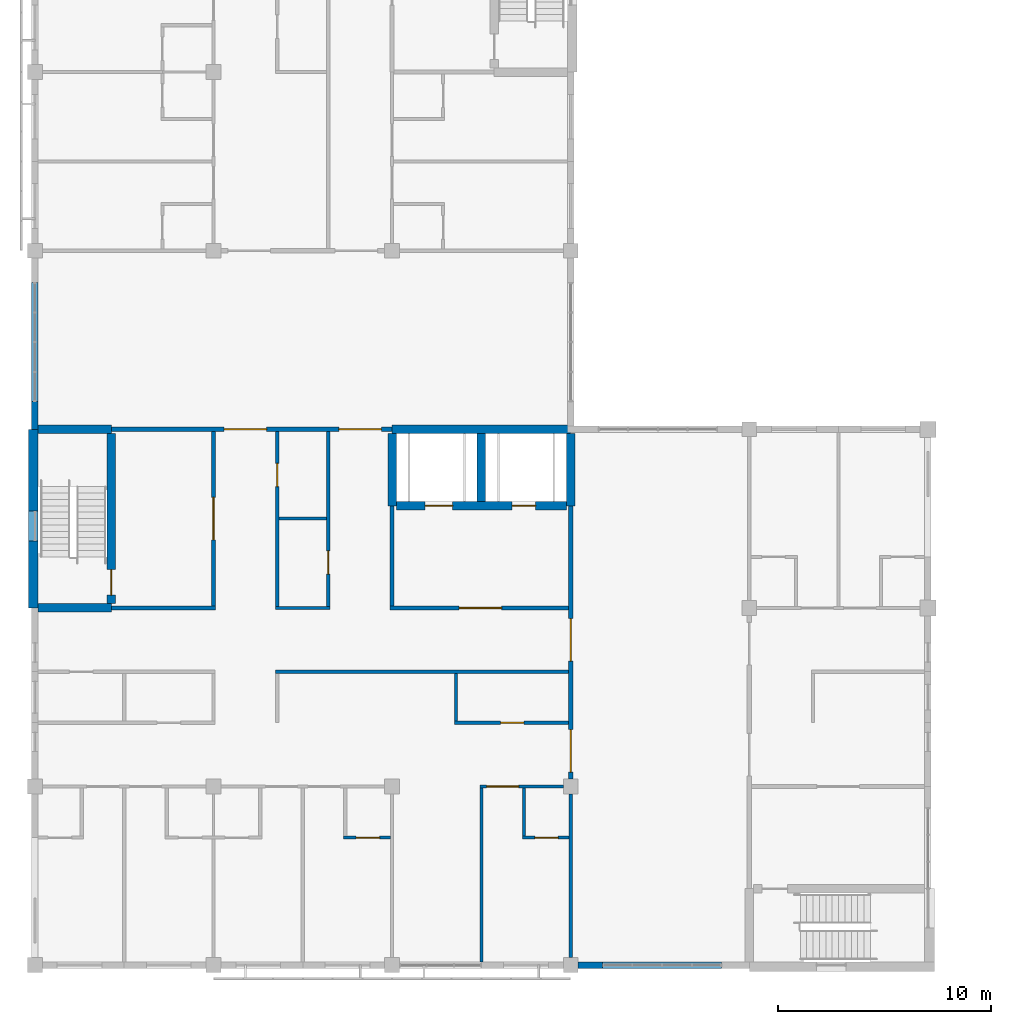
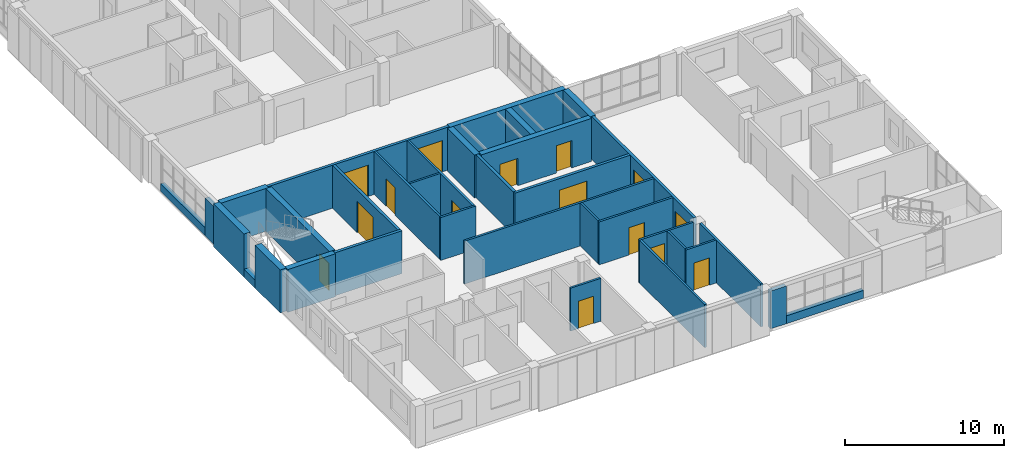
# One storey, part 27 of 48: 34 walls, 15 doors, 15 openings.
"""IFC4 building model written with IfcOpenShell, lengths in metres."""

from ifc_helpers import new_model, si_unit, direction, frame, frame_2d, origin, place, context, subcontext, project, spatial, rectangle, extrude, material, layer, layer_set, type_object, element, fill, save


model = new_model("IFC4")

# Units and contexts
model_context = context("Model", 3, precision=1e-05, world=origin(), true_north=direction((0.0, 1.0)))
body_context = subcontext(model_context, "Body", "Model", "MODEL_VIEW")
ifc_project = project(units=[si_unit("LENGTHUNIT", "METRE"), si_unit("AREAUNIT", "SQUARE_METRE"), si_unit("VOLUMEUNIT", "CUBIC_METRE"), si_unit("PLANEANGLEUNIT", "RADIAN"), si_unit("MASSUNIT", "GRAM", prefix="KILO")], contexts=[model_context])

# Site, building, storey
site_placement = place(None, origin())
site = spatial("IfcSite", under=ifc_project, at=site_placement, CompositionType="ELEMENT")
building_placement = place(site_placement, origin())
building = spatial("IfcBuilding", under=site, at=building_placement, Name="Yavir Park General Hospital", CompositionType="ELEMENT")
storey_placement = place(building_placement, frame((0.0, 0.0, 26.10009765625)))
storey = spatial("IfcBuildingStorey", under=building, at=storey_placement, Name="L06", CompositionType="ELEMENT", Elevation=26.10009765625)

# Wall
ifc_material_1 = material(Name="Double gypsum board fire partition on steel studs", Category="steel")
ifc_layer_1 = layer(ifc_material_1, 0.199951171875)
ifc_layer_set_1 = layer_set([ifc_layer_1], Name="Double gypsum board fire partition on steel studs")
wall_type_1 = type_object("IfcWallType", Name="Fire-rated partition 200, EI 60", PredefinedType="PARTITIONING", material=ifc_layer_set_1)
wall_1_placement = place(storey_placement, frame((3.60009765625, 16.800048828125, 0.0), z_axis=(0.0, 0.0, 1.0), x_axis=(1.0, 0.0, 0.0)))
element("IfcWall", 1, at=wall_1_placement, inside=storey, type_object=wall_type_1, Name="FP20 L06-038", PredefinedType="PARTITIONING", context=body_context, shape_type="SweptSolid", body=[
    extrude(rectangle(XDim=4.89990234375, YDim=0.199951171875, at=frame_2d((2.449951171875, 0.0))), origin(), (0.0, 0.0, 1.0), 3.2998046875),
])

# Wall, opening, door
wall_2_placement = place(storey_placement, frame((16.699951171875, 16.800048828125, 0.0), z_axis=(0.0, 0.0, 1.0), x_axis=(1.0, 0.0, 0.0)))
wall_2 = element("IfcWall", 2, at=wall_2_placement, inside=storey, type_object=wall_type_1, Name="FP20 L06-040", PredefinedType="PARTITIONING", context=body_context, shape_type="SweptSolid", body=[
    extrude(rectangle(XDim=8.400146484375, YDim=0.199951171875, at=frame_2d((4.2001953125, 0.0))), origin(), (0.0, 0.0, 1.0), 3.2998046875),
])
opening_1_placement = place(wall_2_placement, frame((3.25, 0.0, 0.0)))
opening_1 = element("IfcOpeningElement", 3, at=opening_1_placement, cuts=wall_2, Name="Opening L06.D042", PredefinedType="OPENING", context=body_context, shape_type="SweptSolid", body=[
    extrude(rectangle(XDim=2.0, YDim=2.39990234375, at=frame_2d((1.0, 1.199951171875))), frame((0.0, 0.10986328125, 0.0), z_axis=(0.0, -1.0, 0.0), x_axis=(1.0, 0.0, 0.0)), (0.0, 0.0, 1.0), 0.219970703125),
])
ifc_material_2 = material(Name="Steel frame, fire-resisting leaves with vision panels", Category="steel")
door_type_1 = type_object("IfcDoorType", Name="Double fire door with vision panels 2000 x 2400, EI 60", OperationType="DOUBLE_DOOR_SINGLE_SWING", PredefinedType="DOOR", material=ifc_material_2)
door_1_placement = place(opening_1_placement, origin())
door_1 = element("IfcDoor", 4, at=door_1_placement, inside=storey, type_object=door_type_1, Name="L06.D042", OperationType="SINGLE_SWING_RIGHT", OverallHeight=2.39990234375, OverallWidth=2.0, PredefinedType="DOOR", context=body_context, shape_type="SweptSolid", body=[
    extrude(rectangle(XDim=2.0, YDim=2.39990234375, at=frame_2d((1.0, 1.199951171875))), frame((0.0, 0.030029296875, 0.0), z_axis=(0.0, -1.0, 0.0), x_axis=(1.0, 0.0, 0.0)), (0.0, 0.0, 1.0), 0.06005859375),
])
fill(opening_1, door_1)

# Wall, openings, doors
wall_3_placement = place(storey_placement, frame((3.60009765625, 25.199951171875, 0.0), z_axis=(0.0, 0.0, 1.0), x_axis=(1.0, 0.0, 0.0)))
wall_3 = element("IfcWall", 5, at=wall_3_placement, inside=storey, type_object=wall_type_1, Name="FP20 L06-057", PredefinedType="PARTITIONING", context=body_context, shape_type="SweptSolid", body=[
    extrude(rectangle(XDim=13.199951171875, YDim=0.199951171875, at=frame_2d((6.60009765625, 0.0))), origin(), (0.0, 0.0, 1.0), 3.2998046875),
])
opening_2_placement = place(wall_3_placement, frame((5.300048828125, 0.0, 0.0)))
opening_2 = element("IfcOpeningElement", 6, at=opening_2_placement, cuts=wall_3, Name="Opening L06.D065", PredefinedType="OPENING", context=body_context, shape_type="SweptSolid", body=[
    extrude(rectangle(XDim=2.0, YDim=2.39990234375, at=frame_2d((1.0, 1.199951171875))), frame((0.0, 0.10986328125, 0.0), z_axis=(0.0, -1.0, 0.0), x_axis=(1.0, 0.0, 0.0)), (0.0, 0.0, 1.0), 0.219970703125),
])
opening_3_placement = place(wall_3_placement, frame((10.699951171875, 0.0, 0.0)))
opening_3 = element("IfcOpeningElement", 7, at=opening_3_placement, cuts=wall_3, Name="Opening L06.D066", PredefinedType="OPENING", context=body_context, shape_type="SweptSolid", body=[
    extrude(rectangle(XDim=2.0, YDim=2.39990234375, at=frame_2d((1.0, 1.199951171875))), frame((0.0, 0.10986328125, 0.0), z_axis=(0.0, -1.0, 0.0), x_axis=(1.0, 0.0, 0.0)), (0.0, 0.0, 1.0), 0.219970703125),
])
door_2_placement = place(opening_2_placement, origin())
door_2 = element("IfcDoor", 8, at=door_2_placement, inside=storey, type_object=door_type_1, Name="L06.D065", OperationType="SINGLE_SWING_LEFT", OverallHeight=2.39990234375, OverallWidth=2.0, PredefinedType="DOOR", context=body_context, shape_type="SweptSolid", body=[
    extrude(rectangle(XDim=2.0, YDim=2.39990234375, at=frame_2d((1.0, 1.199951171875))), frame((0.0, 0.030029296875, 0.0), z_axis=(0.0, -1.0, 0.0), x_axis=(1.0, 0.0, 0.0)), (0.0, 0.0, 1.0), 0.06005859375),
])
fill(opening_2, door_2)
door_3_placement = place(opening_3_placement, origin())
door_3 = element("IfcDoor", 9, at=door_3_placement, inside=storey, type_object=door_type_1, Name="L06.D066", OperationType="SINGLE_SWING_LEFT", OverallHeight=2.39990234375, OverallWidth=2.0, PredefinedType="DOOR", context=body_context, shape_type="SweptSolid", body=[
    extrude(rectangle(XDim=2.0, YDim=2.39990234375, at=frame_2d((1.0, 1.199951171875))), frame((0.0, 0.030029296875, 0.0), z_axis=(0.0, -1.0, 0.0), x_axis=(1.0, 0.0, 0.0)), (0.0, 0.0, 1.0), 0.06005859375),
])
fill(opening_3, door_3)

# Wall, opening, door
wall_4_placement = place(storey_placement, frame((8.39990234375, 16.89990234375, 0.0), z_axis=(0.0, 0.0, 1.0), x_axis=(0.0, 1.0, 0.0)))
wall_4 = element("IfcWall", 10, at=wall_4_placement, inside=storey, type_object=wall_type_1, Name="FP20 L06-150", PredefinedType="PARTITIONING", context=body_context, shape_type="SweptSolid", body=[
    extrude(rectangle(XDim=8.2001953125, YDim=0.199951171875, at=frame_2d((4.10009765625, 0.0))), origin(), (0.0, 0.0, 1.0), 3.2998046875),
])
opening_4_placement = place(wall_4_placement, frame((3.10009765625, 0.0, 0.0)))
opening_4 = element("IfcOpeningElement", 11, at=opening_4_placement, cuts=wall_4, Name="Opening L06.D085", PredefinedType="OPENING", context=body_context, shape_type="SweptSolid", body=[
    extrude(rectangle(XDim=2.0, YDim=2.39990234375, at=frame_2d((1.0, 1.199951171875))), frame((0.0, 0.10986328125, 0.0), z_axis=(0.0, -1.0, 0.0), x_axis=(1.0, 0.0, 0.0)), (0.0, 0.0, 1.0), 0.219970703125),
])
door_4_placement = place(opening_4_placement, origin())
door_4 = element("IfcDoor", 12, at=door_4_placement, inside=storey, type_object=door_type_1, Name="L06.D085", OperationType="SINGLE_SWING_RIGHT", OverallHeight=2.39990234375, OverallWidth=2.0, PredefinedType="DOOR", context=body_context, shape_type="SweptSolid", body=[
    extrude(rectangle(XDim=2.0, YDim=2.39990234375, at=frame_2d((1.0, 1.199951171875))), frame((0.0, 0.030029296875, 0.0), z_axis=(0.0, -1.0, 0.0), x_axis=(1.0, 0.0, 0.0)), (0.0, 0.0, 1.0), 0.06005859375),
])
fill(opening_4, door_4)

# Wall
wall_5_placement = place(storey_placement, frame((16.800048828125, 16.89990234375, 0.0), z_axis=(0.0, 0.0, 1.0), x_axis=(0.0, 1.0, 0.0)))
element("IfcWall", 13, at=wall_5_placement, inside=storey, type_object=wall_type_1, Name="FP20 L06-175", PredefinedType="PARTITIONING", context=body_context, shape_type="SweptSolid", body=[
    extrude(rectangle(XDim=4.7001953125, YDim=0.199951171875, at=frame_2d((2.35009765625, 0.0))), origin(), (0.0, 0.0, 1.0), 3.2998046875),
])

# Wall, openings, doors
wall_6_placement = place(storey_placement, frame((25.199951171875, 8.75, 0.0), z_axis=(0.0, 0.0, 1.0), x_axis=(0.0, 1.0, 0.0)))
wall_6 = element("IfcWall", 14, at=wall_6_placement, inside=storey, type_object=wall_type_1, Name="FP20 L06-200", PredefinedType="PARTITIONING", context=body_context, shape_type="SweptSolid", body=[
    extrude(rectangle(XDim=12.85009765625, YDim=0.199951171875, at=frame_2d((6.425048828125, 0.0))), origin(), (0.0, 0.0, 1.0), 3.2998046875),
])
opening_5_placement = place(wall_6_placement, frame((0.324951171875, 0.0, 0.0)))
opening_5 = element("IfcOpeningElement", 15, at=opening_5_placement, cuts=wall_6, Name="Opening L06.D136", PredefinedType="OPENING", context=body_context, shape_type="SweptSolid", body=[
    extrude(rectangle(XDim=2.0, YDim=2.39990234375, at=frame_2d((1.0, 1.199951171875))), frame((0.0, 0.10986328125, 0.0), z_axis=(0.0, -1.0, 0.0), x_axis=(1.0, 0.0, 0.0)), (0.0, 0.0, 1.0), 0.219970703125),
])
opening_6_placement = place(wall_6_placement, frame((5.550048828125, 0.0, 0.0)))
opening_6 = element("IfcOpeningElement", 16, at=opening_6_placement, cuts=wall_6, Name="Opening L06.D137", PredefinedType="OPENING", context=body_context, shape_type="SweptSolid", body=[
    extrude(rectangle(XDim=2.0, YDim=2.39990234375, at=frame_2d((1.0, 1.199951171875))), frame((0.0, 0.10986328125, 0.0), z_axis=(0.0, -1.0, 0.0), x_axis=(1.0, 0.0, 0.0)), (0.0, 0.0, 1.0), 0.219970703125),
])
door_5_placement = place(opening_5_placement, origin())
door_5 = element("IfcDoor", 17, at=door_5_placement, inside=storey, type_object=door_type_1, Name="L06.D136", OperationType="SINGLE_SWING_LEFT", OverallHeight=2.39990234375, OverallWidth=2.0, PredefinedType="DOOR", context=body_context, shape_type="SweptSolid", body=[
    extrude(rectangle(XDim=2.0, YDim=2.39990234375, at=frame_2d((1.0, 1.199951171875))), frame((0.0, 0.030029296875, 0.0), z_axis=(0.0, -1.0, 0.0), x_axis=(1.0, 0.0, 0.0)), (0.0, 0.0, 1.0), 0.06005859375),
])
fill(opening_5, door_5)
door_6_placement = place(opening_6_placement, origin())
door_6 = element("IfcDoor", 18, at=door_6_placement, inside=storey, type_object=door_type_1, Name="L06.D137", OperationType="SINGLE_SWING_RIGHT", OverallHeight=2.39990234375, OverallWidth=2.0, PredefinedType="DOOR", context=body_context, shape_type="SweptSolid", body=[
    extrude(rectangle(XDim=2.0, YDim=2.39990234375, at=frame_2d((1.0, 1.199951171875))), frame((0.0, 0.030029296875, 0.0), z_axis=(0.0, -1.0, 0.0), x_axis=(1.0, 0.0, 0.0)), (0.0, 0.0, 1.0), 0.06005859375),
])
fill(opening_6, door_6)

# Wall, opening, door
ifc_material_3 = material(Name="Gypsum board partition on steel studs", Category="steel")
ifc_layer_2 = layer(ifc_material_3, 0.14990234375)
ifc_layer_set_2 = layer_set([ifc_layer_2], Name="Gypsum board partition on steel studs")
wall_type_2 = type_object("IfcWallType", Name="Gypsum board partition 150", PredefinedType="PARTITIONING", material=ifc_layer_set_2)
wall_7_placement = place(storey_placement, frame((14.52490234375, 6.0, 0.0), z_axis=(0.0, 0.0, 1.0), x_axis=(1.0, 0.0, 0.0)))
wall_7 = element("IfcWall", 19, at=wall_7_placement, inside=storey, type_object=wall_type_2, Name="P15 L06-006", PredefinedType="PARTITIONING", context=body_context, shape_type="SweptSolid", body=[
    extrude(rectangle(XDim=2.2001953125, YDim=0.14990234375, at=frame_2d((1.10009765625, 0.0))), origin(), (0.0, 0.0, 1.0), 3.2998046875),
])
opening_7_placement = place(wall_7_placement, frame((0.58740234375, 0.0, 0.0)))
opening_7 = element("IfcOpeningElement", 20, at=opening_7_placement, cuts=wall_7, Name="Opening L06.D007", PredefinedType="OPENING", context=body_context, shape_type="SweptSolid", body=[
    extrude(rectangle(XDim=1.10009765625, YDim=2.10009765625, at=frame_2d((0.550048828125, 1.050048828125))), frame((0.0, 0.0849609375, 0.0), z_axis=(0.0, -1.0, 0.0), x_axis=(1.0, 0.0, 0.0)), (0.0, 0.0, 1.0), 0.169921875),
])
ifc_material_4 = material(Name="Hollow metal frame, solid-core timber leaf", Category="wood")
door_type_2 = type_object("IfcDoorType", Name="Single swing door 1100 x 2100", OperationType="SINGLE_SWING_LEFT", PredefinedType="DOOR", material=ifc_material_4)
door_7_placement = place(opening_7_placement, origin())
door_7 = element("IfcDoor", 21, at=door_7_placement, inside=storey, type_object=door_type_2, Name="L06.D007", OperationType="SINGLE_SWING_RIGHT", OverallHeight=2.10009765625, OverallWidth=1.10009765625, PredefinedType="DOOR", context=body_context, shape_type="SweptSolid", body=[
    extrude(rectangle(XDim=1.10009765625, YDim=2.10009765625, at=frame_2d((0.550048828125, 1.050048828125))), frame((0.0, 0.02490234375, 0.0), z_axis=(0.0, -1.0, 0.0), x_axis=(1.0, 0.0, 0.0)), (0.0, 0.0, 1.0), 0.050048828125),
])
fill(opening_7, door_7)

wall_8_placement = place(storey_placement, frame((22.925048828125, 6.0, 0.0), z_axis=(0.0, 0.0, 1.0), x_axis=(1.0, 0.0, 0.0)))
wall_8 = element("IfcWall", 22, at=wall_8_placement, inside=storey, type_object=wall_type_2, Name="P15 L06-007", PredefinedType="PARTITIONING", context=body_context, shape_type="SweptSolid", body=[
    extrude(rectangle(XDim=2.199951171875, YDim=0.14990234375, at=frame_2d((1.10009765625, 0.0))), origin(), (0.0, 0.0, 1.0), 3.2998046875),
])
opening_8_placement = place(wall_8_placement, frame((0.58740234375, 0.0, 0.0)))
opening_8 = element("IfcOpeningElement", 23, at=opening_8_placement, cuts=wall_8, Name="Opening L06.D008", PredefinedType="OPENING", context=body_context, shape_type="SweptSolid", body=[
    extrude(rectangle(XDim=1.10009765625, YDim=2.10009765625, at=frame_2d((0.550048828125, 1.050048828125))), frame((0.0, 0.0849609375, 0.0), z_axis=(0.0, -1.0, 0.0), x_axis=(1.0, 0.0, 0.0)), (0.0, 0.0, 1.0), 0.169921875),
])
door_8_placement = place(opening_8_placement, origin())
door_8 = element("IfcDoor", 24, at=door_8_placement, inside=storey, type_object=door_type_2, Name="L06.D008", OperationType="SINGLE_SWING_RIGHT", OverallHeight=2.10009765625, OverallWidth=1.10009765625, PredefinedType="DOOR", context=body_context, shape_type="SweptSolid", body=[
    extrude(rectangle(XDim=1.10009765625, YDim=2.10009765625, at=frame_2d((0.550048828125, 1.050048828125))), frame((0.0, 0.02490234375, 0.0), z_axis=(0.0, -1.0, 0.0), x_axis=(1.0, 0.0, 0.0)), (0.0, 0.0, 1.0), 0.050048828125),
])
fill(opening_8, door_8)

wall_9_placement = place(storey_placement, frame((20.925048828125, 8.39990234375, 0.0), z_axis=(0.0, 0.0, 1.0), x_axis=(1.0, 0.0, 0.0)))
wall_9 = element("IfcWall", 25, at=wall_9_placement, inside=storey, type_object=wall_type_2, Name="P15 L06-016", PredefinedType="PARTITIONING", context=body_context, shape_type="SweptSolid", body=[
    extrude(rectangle(XDim=3.925048828125, YDim=0.14990234375, at=frame_2d((1.96240234375, 0.0))), origin(), (0.0, 0.0, 1.0), 3.2998046875),
])
opening_9_placement = place(wall_9_placement, frame((0.324951171875, 0.0, 0.0)))
opening_9 = element("IfcOpeningElement", 26, at=opening_9_placement, cuts=wall_9, Name="Opening L06.D023", PredefinedType="OPENING", context=body_context, shape_type="SweptSolid", body=[
    extrude(rectangle(XDim=1.5, YDim=2.39990234375, at=frame_2d((0.75, 1.199951171875))), frame((0.0, 0.0849609375, 0.0), z_axis=(0.0, -1.0, 0.0), x_axis=(1.0, 0.0, 0.0)), (0.0, 0.0, 1.0), 0.169921875),
])
ifc_material_5 = material(Name="Solid-core timber leaves, push plates, kick plates", Category="wood")
door_type_3 = type_object("IfcDoorType", Name="Bed door, unequal leaves 1500 x 2400", OperationType="DOUBLE_DOOR_SINGLE_SWING", PredefinedType="DOOR", material=ifc_material_5)
door_9_placement = place(opening_9_placement, origin())
door_9 = element("IfcDoor", 27, at=door_9_placement, inside=storey, type_object=door_type_3, Name="L06.D023", OperationType="SINGLE_SWING_LEFT", OverallHeight=2.39990234375, OverallWidth=1.5, PredefinedType="DOOR", context=body_context, shape_type="SweptSolid", body=[
    extrude(rectangle(XDim=1.5, YDim=2.39990234375, at=frame_2d((0.75, 1.199951171875))), frame((0.0, 0.030029296875, 0.0), z_axis=(0.0, -1.0, 0.0), x_axis=(1.0, 0.0, 0.0)), (0.0, 0.0, 1.0), 0.06005859375),
])
fill(opening_9, door_9)

wall_10_placement = place(storey_placement, frame((19.72509765625, 11.39990234375, 0.0), z_axis=(0.0, 0.0, 1.0), x_axis=(1.0, 0.0, 0.0)))
wall_10 = element("IfcWall", 28, at=wall_10_placement, inside=storey, type_object=wall_type_2, Name="P15 L06-025", PredefinedType="PARTITIONING", context=body_context, shape_type="SweptSolid", body=[
    extrude(rectangle(XDim=5.375, YDim=0.14990234375, at=frame_2d((2.6875, 0.0))), origin(), (0.0, 0.0, 1.0), 3.2998046875),
])
opening_10_placement = place(wall_10_placement, frame((2.175048828125, 0.0, 0.0)))
opening_10 = element("IfcOpeningElement", 29, at=opening_10_placement, cuts=wall_10, Name="Opening L06.D034", PredefinedType="OPENING", context=body_context, shape_type="SweptSolid", body=[
    extrude(rectangle(XDim=1.10009765625, YDim=2.10009765625, at=frame_2d((0.550048828125, 1.050048828125))), frame((0.0, 0.0849609375, 0.0), z_axis=(0.0, -1.0, 0.0), x_axis=(1.0, 0.0, 0.0)), (0.0, 0.0, 1.0), 0.169921875),
])
door_10_placement = place(opening_10_placement, origin())
door_10 = element("IfcDoor", 30, at=door_10_placement, inside=storey, type_object=door_type_2, Name="L06.D034", OperationType="SINGLE_SWING_RIGHT", OverallHeight=2.10009765625, OverallWidth=1.10009765625, PredefinedType="DOOR", context=body_context, shape_type="SweptSolid", body=[
    extrude(rectangle(XDim=1.10009765625, YDim=2.10009765625, at=frame_2d((0.550048828125, 1.050048828125))), frame((0.0, 0.02490234375, 0.0), z_axis=(0.0, -1.0, 0.0), x_axis=(1.0, 0.0, 0.0)), (0.0, 0.0, 1.0), 0.050048828125),
])
fill(opening_10, door_10)

# Walls
wall_11_placement = place(storey_placement, frame((11.324951171875, 13.800048828125, 0.0), z_axis=(0.0, 0.0, 1.0), x_axis=(1.0, 0.0, 0.0)))
element("IfcWall", 31, at=wall_11_placement, inside=storey, type_object=wall_type_2, Name="P15 L06-031", PredefinedType="PARTITIONING", context=body_context, shape_type="SweptSolid", body=[
    extrude(rectangle(XDim=13.775146484375, YDim=0.14990234375, at=frame_2d((6.8876953125, 0.0))), origin(), (0.0, 0.0, 1.0), 3.2998046875),
])
wall_12_placement = place(storey_placement, frame((11.324951171875, 16.800048828125, 0.0), z_axis=(0.0, 0.0, 1.0), x_axis=(1.0, 0.0, 0.0)))
element("IfcWall", 32, at=wall_12_placement, inside=storey, type_object=wall_type_2, Name="P15 L06-039", PredefinedType="PARTITIONING", context=body_context, shape_type="SweptSolid", body=[
    extrude(rectangle(XDim=2.550048828125, YDim=0.14990234375, at=frame_2d((1.27490234375, 0.0))), origin(), (0.0, 0.0, 1.0), 3.2998046875),
])
wall_13_placement = place(storey_placement, frame((11.47509765625, 21.0, 0.0), z_axis=(0.0, 0.0, 1.0), x_axis=(1.0, 0.0, 0.0)))
element("IfcWall", 33, at=wall_13_placement, inside=storey, type_object=wall_type_2, Name="P15 L06-053", PredefinedType="PARTITIONING", context=body_context, shape_type="SweptSolid", body=[
    extrude(rectangle(XDim=2.25, YDim=0.14990234375, at=frame_2d((1.125, 0.0))), origin(), (0.0, 0.0, 1.0), 3.2998046875),
])

# Wall, opening, door
wall_14_placement = place(storey_placement, frame((11.39990234375, 16.875, 0.0), z_axis=(0.0, 0.0, 1.0), x_axis=(0.0, 1.0, 0.0)))
wall_14 = element("IfcWall", 34, at=wall_14_placement, inside=storey, type_object=wall_type_2, Name="P15 L06-164", PredefinedType="PARTITIONING", context=body_context, shape_type="SweptSolid", body=[
    extrude(rectangle(XDim=8.22509765625, YDim=0.14990234375, at=frame_2d((4.112548828125, 0.0))), origin(), (0.0, 0.0, 1.0), 3.2998046875),
])
opening_11_placement = place(wall_14_placement, frame((5.625, 0.0, 0.0)))
opening_11 = element("IfcOpeningElement", 35, at=opening_11_placement, cuts=wall_14, Name="Opening L06.D102", PredefinedType="OPENING", context=body_context, shape_type="SweptSolid", body=[
    extrude(rectangle(XDim=1.10009765625, YDim=2.10009765625, at=frame_2d((0.550048828125, 1.050048828125))), frame((0.0, 0.0849609375, 0.0), z_axis=(0.0, -1.0, 0.0), x_axis=(1.0, 0.0, 0.0)), (0.0, 0.0, 1.0), 0.169921875),
])
door_11_placement = place(opening_11_placement, origin())
door_11 = element("IfcDoor", 36, at=door_11_placement, inside=storey, type_object=door_type_2, Name="L06.D102", OperationType="SINGLE_SWING_LEFT", OverallHeight=2.10009765625, OverallWidth=1.10009765625, PredefinedType="DOOR", context=body_context, shape_type="SweptSolid", body=[
    extrude(rectangle(XDim=1.10009765625, YDim=2.10009765625, at=frame_2d((0.550048828125, 1.050048828125))), frame((0.0, 0.02490234375, 0.0), z_axis=(0.0, -1.0, 0.0), x_axis=(1.0, 0.0, 0.0)), (0.0, 0.0, 1.0), 0.050048828125),
])
fill(opening_11, door_11)

wall_15_placement = place(storey_placement, frame((13.800048828125, 16.875, 0.0), z_axis=(0.0, 0.0, 1.0), x_axis=(0.0, 1.0, 0.0)))
wall_15 = element("IfcWall", 37, at=wall_15_placement, inside=storey, type_object=wall_type_2, Name="P15 L06-169", PredefinedType="PARTITIONING", context=body_context, shape_type="SweptSolid", body=[
    extrude(rectangle(XDim=8.22509765625, YDim=0.14990234375, at=frame_2d((4.112548828125, 0.0))), origin(), (0.0, 0.0, 1.0), 3.2998046875),
])
opening_12_placement = place(wall_15_placement, frame((1.512451171875, 0.0, 0.0)))
opening_12 = element("IfcOpeningElement", 38, at=opening_12_placement, cuts=wall_15, Name="Opening L06.D108", PredefinedType="OPENING", context=body_context, shape_type="SweptSolid", body=[
    extrude(rectangle(XDim=1.10009765625, YDim=2.10009765625, at=frame_2d((0.550048828125, 1.050048828125))), frame((0.0, 0.0849609375, 0.0), z_axis=(0.0, -1.0, 0.0), x_axis=(1.0, 0.0, 0.0)), (0.0, 0.0, 1.0), 0.169921875),
])
door_12_placement = place(opening_12_placement, origin())
door_12 = element("IfcDoor", 39, at=door_12_placement, inside=storey, type_object=door_type_2, Name="L06.D108", OperationType="SINGLE_SWING_LEFT", OverallHeight=2.10009765625, OverallWidth=1.10009765625, PredefinedType="DOOR", context=body_context, shape_type="SweptSolid", body=[
    extrude(rectangle(XDim=1.10009765625, YDim=2.10009765625, at=frame_2d((0.550048828125, 1.050048828125))), frame((0.0, 0.02490234375, 0.0), z_axis=(0.0, -1.0, 0.0), x_axis=(1.0, 0.0, 0.0)), (0.0, 0.0, 1.0), 0.050048828125),
])
fill(opening_12, door_12)

# Walls
wall_16_placement = place(storey_placement, frame((19.800048828125, 11.47509765625, 0.0), z_axis=(0.0, 0.0, 1.0), x_axis=(0.0, 1.0, 0.0)))
element("IfcWall", 40, at=wall_16_placement, inside=storey, type_object=wall_type_2, Name="P15 L06-192", PredefinedType="PARTITIONING", context=body_context, shape_type="SweptSolid", body=[
    extrude(rectangle(XDim=2.25, YDim=0.14990234375, at=frame_2d((1.125, 0.0))), origin(), (0.0, 0.0, 1.0), 3.2998046875),
])
wall_17_placement = place(storey_placement, frame((21.0, 0.14990234375, 0.0), z_axis=(0.0, 0.0, 1.0), x_axis=(0.0, 1.0, 0.0)))
element("IfcWall", 41, at=wall_17_placement, inside=storey, type_object=wall_type_2, Name="P15 L06-193", PredefinedType="PARTITIONING", context=body_context, shape_type="SweptSolid", body=[
    extrude(rectangle(XDim=8.175048828125, YDim=0.14990234375, at=frame_2d((4.08740234375, 0.0))), origin(), (0.0, 0.0, 1.0), 3.2998046875),
])
wall_18_placement = place(storey_placement, frame((23.0, 6.074951171875, 0.0), z_axis=(0.0, 0.0, 1.0), x_axis=(0.0, 1.0, 0.0)))
element("IfcWall", 42, at=wall_18_placement, inside=storey, type_object=wall_type_2, Name="P15 L06-198", PredefinedType="PARTITIONING", context=body_context, shape_type="SweptSolid", body=[
    extrude(rectangle(XDim=2.25, YDim=0.14990234375, at=frame_2d((1.125, 0.0))), origin(), (0.0, 0.0, 1.0), 3.2998046875),
])
wall_19_placement = place(storey_placement, frame((25.199951171875, 0.35009765625, 0.0), z_axis=(0.0, 0.0, 1.0), x_axis=(0.0, 1.0, 0.0)))
element("IfcWall", 43, at=wall_19_placement, inside=storey, type_object=wall_type_2, Name="P15 L06-199", PredefinedType="PARTITIONING", context=body_context, shape_type="SweptSolid", body=[
    extrude(rectangle(XDim=7.699951171875, YDim=0.14990234375, at=frame_2d((3.85009765625, 0.0))), origin(), (0.0, 0.0, 1.0), 3.2998046875),
])
ifc_material_6 = material(Name="Autoclaved aerated block, mineral wool and ochre mineral render")
ifc_layer_3 = layer(ifc_material_6, 0.300048828125)
ifc_layer_set_3 = layer_set([ifc_layer_3], Name="Autoclaved aerated block, mineral wool and ochre mineral render")
wall_type_3 = type_object("IfcWallType", Name="Ochre render ward wall 300, E 30", PredefinedType="SOLIDWALL", material=ifc_layer_set_3)
wall_20_placement = place(storey_placement, frame((25.550048828125, 0.0, 0.0), z_axis=(0.0, 0.0, 1.0), x_axis=(1.0, 0.0, 0.0)))
element("IfcWall", 44, at=wall_20_placement, inside=storey, type_object=wall_type_3, Name="XW7 L06-007", PredefinedType="SOLIDWALL", context=body_context, shape_type="SweptSolid", body=[
    extrude(rectangle(XDim=1.14990234375, YDim=0.300048828125, at=frame_2d((0.574951171875, 0.0))), origin(), (0.0, 0.0, 1.0), 2.89990234375),
])
wall_21_placement = place(storey_placement, frame((26.699951171875, 0.0, 0.0), z_axis=(0.0, 0.0, 1.0), x_axis=(1.0, 0.0, 0.0)))
element("IfcWall", 45, at=wall_21_placement, inside=storey, type_object=wall_type_3, Name="XW7 L06-009", PredefinedType="SOLIDWALL", context=body_context, shape_type="SweptSolid", body=[
    extrude(rectangle(XDim=5.60009765625, YDim=0.300048828125, at=frame_2d((2.800048828125, 0.0))), origin(), (0.0, 0.0, 1.0), 0.599853515625),
])
wall_22_placement = place(storey_placement, frame((0.0, 25.199951171875, 0.0), z_axis=(0.0, 0.0, 1.0), x_axis=(0.0, 1.0, 0.0)))
element("IfcWall", 46, at=wall_22_placement, inside=storey, type_object=wall_type_3, Name="XW7 L06-077", PredefinedType="SOLIDWALL", context=body_context, shape_type="SweptSolid", body=[
    extrude(rectangle(XDim=1.300048828125, YDim=0.300048828125, at=frame_2d((0.64990234375, 0.0))), origin(), (0.0, 0.0, 1.0), 2.89990234375),
])
wall_23_placement = place(storey_placement, frame((0.0, 26.5, 0.0), z_axis=(0.0, 0.0, 1.0), x_axis=(0.0, 1.0, 0.0)))
element("IfcWall", 47, at=wall_23_placement, inside=storey, type_object=wall_type_3, Name="XW7 L06-079", PredefinedType="SOLIDWALL", context=body_context, shape_type="SweptSolid", body=[
    extrude(rectangle(XDim=5.60009765625, YDim=0.300048828125, at=frame_2d((2.800048828125, 0.0))), origin(), (0.0, 0.0, 1.0), 0.599853515625),
])
ifc_material_7 = material(Name="Concrete C35/45", Category="concrete")
ifc_layer_4 = layer(ifc_material_7, 0.39990234375)
ifc_layer_set_4 = layer_set([ifc_layer_4], Name="Concrete C35/45")
wall_type_4 = type_object("IfcWallType", Name="Reinforced concrete core wall 400, REI 150", PredefinedType="SHEAR", material=ifc_layer_set_4)
wall_24_placement = place(storey_placement, frame((0.14990234375, 16.800048828125, 0.0), z_axis=(0.0, 0.0, 1.0), x_axis=(1.0, 0.0, 0.0)))
element("IfcWall", 48, at=wall_24_placement, inside=storey, type_object=wall_type_4, Name="CW40 L06-037", PredefinedType="SHEAR", context=body_context, shape_type="SweptSolid", body=[
    extrude(rectangle(XDim=3.4501953125, YDim=0.39990234375, at=frame_2d((1.72509765625, 0.0))), origin(), (0.0, 0.0, 1.0), 3.2998046875),
])

# Wall, openings, doors
wall_25_placement = place(storey_placement, frame((17.0, 21.60009765625, 0.0), z_axis=(0.0, 0.0, 1.0), x_axis=(1.0, 0.0, 0.0)))
wall_25 = element("IfcWall", 49, at=wall_25_placement, inside=storey, type_object=wall_type_4, Name="CW40 L06-054", PredefinedType="SHEAR", context=body_context, shape_type="SweptSolid", body=[
    extrude(rectangle(XDim=8.0, YDim=0.39990234375, at=frame_2d((4.0, 0.0))), origin(), (0.0, 0.0, 1.0), 3.2998046875),
])
opening_13_placement = place(wall_25_placement, frame((1.35009765625, 0.0, 0.0)))
opening_13 = element("IfcOpeningElement", 50, at=opening_13_placement, cuts=wall_25, Name="Opening L06.D057", PredefinedType="OPENING", context=body_context, shape_type="SweptSolid", body=[
    extrude(rectangle(XDim=1.300048828125, YDim=2.10009765625, at=frame_2d((0.64990234375, 1.050048828125))), frame((0.0, 0.2099609375, 0.0), z_axis=(0.0, -1.0, 0.0), x_axis=(1.0, 0.0, 0.0)), (0.0, 0.0, 1.0), 0.419921875),
])
opening_14_placement = place(wall_25_placement, frame((5.449951171875, 0.0, 0.0)))
opening_14 = element("IfcOpeningElement", 51, at=opening_14_placement, cuts=wall_25, Name="Opening L06.D058", PredefinedType="OPENING", context=body_context, shape_type="SweptSolid", body=[
    extrude(rectangle(XDim=1.10009765625, YDim=2.10009765625, at=frame_2d((0.550048828125, 1.050048828125))), frame((0.0, 0.2099609375, 0.0), z_axis=(0.0, -1.0, 0.0), x_axis=(1.0, 0.0, 0.0)), (0.0, 0.0, 1.0), 0.419921875),
])
ifc_material_8 = material(Name="Stainless steel landing door panels", Category="steel")
door_type_4 = type_object("IfcDoorType", Name="Lift landing door 1100 x 2100, EI 60", OperationType="SLIDING_TO_LEFT", PredefinedType="DOOR", material=ifc_material_8)
door_13_placement = place(opening_14_placement, origin())
door_13 = element("IfcDoor", 52, at=door_13_placement, inside=storey, type_object=door_type_4, Name="L06.D058", OperationType="SLIDING_TO_LEFT", OverallHeight=2.10009765625, OverallWidth=1.10009765625, PredefinedType="DOOR", context=body_context, shape_type="SweptSolid", body=[
    extrude(rectangle(XDim=1.10009765625, YDim=2.10009765625, at=frame_2d((0.550048828125, 1.050048828125))), frame((0.0, 0.02490234375, 0.0), z_axis=(0.0, -1.0, 0.0), x_axis=(1.0, 0.0, 0.0)), (0.0, 0.0, 1.0), 0.050048828125),
])
fill(opening_14, door_13)
ifc_material_9 = material(Name="Stainless steel landing door panels", Category="steel")
door_type_5 = type_object("IfcDoorType", Name="Lift landing door 1300 x 2100, EI 60", OperationType="SLIDING_TO_LEFT", PredefinedType="DOOR", material=ifc_material_9)
door_14_placement = place(opening_13_placement, origin())
door_14 = element("IfcDoor", 53, at=door_14_placement, inside=storey, type_object=door_type_5, Name="L06.D057", OperationType="SLIDING_TO_LEFT", OverallHeight=2.10009765625, OverallWidth=1.300048828125, PredefinedType="DOOR", context=body_context, shape_type="SweptSolid", body=[
    extrude(rectangle(XDim=1.300048828125, YDim=2.10009765625, at=frame_2d((0.64990234375, 1.050048828125))), frame((0.0, 0.02490234375, 0.0), z_axis=(0.0, -1.0, 0.0), x_axis=(1.0, 0.0, 0.0)), (0.0, 0.0, 1.0), 0.050048828125),
])
fill(opening_13, door_14)

# Walls
wall_26_placement = place(storey_placement, frame((0.14990234375, 25.199951171875, 0.0), z_axis=(0.0, 0.0, 1.0), x_axis=(1.0, 0.0, 0.0)))
element("IfcWall", 54, at=wall_26_placement, inside=storey, type_object=wall_type_4, Name="CW40 L06-056", PredefinedType="SHEAR", context=body_context, shape_type="SweptSolid", body=[
    extrude(rectangle(XDim=3.4501953125, YDim=0.39990234375, at=frame_2d((1.72509765625, 0.0))), origin(), (0.0, 0.0, 1.0), 3.2998046875),
])
wall_27_placement = place(storey_placement, frame((16.800048828125, 25.199951171875, 0.0), z_axis=(0.0, 0.0, 1.0), x_axis=(1.0, 0.0, 0.0)))
element("IfcWall", 55, at=wall_27_placement, inside=storey, type_object=wall_type_4, Name="CW40 L06-058", PredefinedType="SHEAR", context=body_context, shape_type="SweptSolid", body=[
    extrude(rectangle(XDim=8.39990234375, YDim=0.39990234375, at=frame_2d((4.199951171875, 0.0))), origin(), (0.0, 0.0, 1.0), 3.2998046875),
])

# Wall, opening, door
wall_28_placement = place(storey_placement, frame((3.60009765625, 17.0, 0.0), z_axis=(0.0, 0.0, 1.0), x_axis=(0.0, 1.0, 0.0)))
wall_28 = element("IfcWall", 56, at=wall_28_placement, inside=storey, type_object=wall_type_4, Name="CW40 L06-133", PredefinedType="SHEAR", context=body_context, shape_type="SweptSolid", body=[
    extrude(rectangle(XDim=8.0, YDim=0.39990234375, at=frame_2d((4.0, 0.0))), origin(), (0.0, 0.0, 1.0), 3.2998046875),
])
opening_15_placement = place(wall_28_placement, frame((0.39990234375, 0.0, 0.0)))
opening_15 = element("IfcOpeningElement", 57, at=opening_15_placement, cuts=wall_28, Name="Opening L06.D074", PredefinedType="OPENING", context=body_context, shape_type="SweptSolid", body=[
    extrude(rectangle(XDim=1.199951171875, YDim=2.10009765625, at=frame_2d((0.60009765625, 1.050048828125))), frame((0.0, 0.2099609375, 0.0), z_axis=(0.0, -1.0, 0.0), x_axis=(1.0, 0.0, 0.0)), (0.0, 0.0, 1.0), 0.419921875),
])
ifc_material_10 = material(Name="Steel frame, fire-resisting timber leaf", Category="steel")
door_type_6 = type_object("IfcDoorType", Name="Fire door 1200 x 2100, EI 60", OperationType="SINGLE_SWING_LEFT", PredefinedType="DOOR", material=ifc_material_10)
door_15_placement = place(opening_15_placement, origin())
door_15 = element("IfcDoor", 58, at=door_15_placement, inside=storey, type_object=door_type_6, Name="L06.D074", OperationType="SINGLE_SWING_RIGHT", OverallHeight=2.10009765625, OverallWidth=1.199951171875, PredefinedType="DOOR", context=body_context, shape_type="SweptSolid", body=[
    extrude(rectangle(XDim=1.199951171875, YDim=2.10009765625, at=frame_2d((0.60009765625, 1.050048828125))), frame((0.0, 0.02490234375, 0.0), z_axis=(0.0, -1.0, 0.0), x_axis=(1.0, 0.0, 0.0)), (0.0, 0.0, 1.0), 0.050048828125),
])
fill(opening_15, door_15)

# Walls
wall_29_placement = place(storey_placement, frame((16.800048828125, 21.60009765625, 0.0), z_axis=(0.0, 0.0, 1.0), x_axis=(0.0, 1.0, 0.0)))
element("IfcWall", 59, at=wall_29_placement, inside=storey, type_object=wall_type_4, Name="CW40 L06-176", PredefinedType="SHEAR", context=body_context, shape_type="SweptSolid", body=[
    extrude(rectangle(XDim=3.39990234375, YDim=0.39990234375, at=frame_2d((1.699951171875, 0.0))), origin(), (0.0, 0.0, 1.0), 3.2998046875),
])
wall_30_placement = place(storey_placement, frame((21.0, 21.800048828125, 0.0), z_axis=(0.0, 0.0, 1.0), x_axis=(0.0, 1.0, 0.0)))
element("IfcWall", 60, at=wall_30_placement, inside=storey, type_object=wall_type_4, Name="CW40 L06-194", PredefinedType="SHEAR", context=body_context, shape_type="SweptSolid", body=[
    extrude(rectangle(XDim=3.199951171875, YDim=0.39990234375, at=frame_2d((1.60009765625, 0.0))), origin(), (0.0, 0.0, 1.0), 3.2998046875),
])
wall_31_placement = place(storey_placement, frame((25.199951171875, 21.60009765625, 0.0), z_axis=(0.0, 0.0, 1.0), x_axis=(0.0, 1.0, 0.0)))
element("IfcWall", 61, at=wall_31_placement, inside=storey, type_object=wall_type_4, Name="CW40 L06-201", PredefinedType="SHEAR", context=body_context, shape_type="SweptSolid", body=[
    extrude(rectangle(XDim=3.39990234375, YDim=0.39990234375, at=frame_2d((1.699951171875, 0.0))), origin(), (0.0, 0.0, 1.0), 3.2998046875),
])
ifc_material_11 = material(Name="Concrete C30/37 precast panel with 150 mm mineral wool insulation", Category="concrete")
ifc_layer_5 = layer(ifc_material_11, 0.449951171875)
ifc_layer_set_5 = layer_set([ifc_layer_5], Name="Concrete C30/37 precast panel with 150 mm mineral wool insulation")
wall_type_5 = type_object("IfcWallType", Name="Stair enclosure wall 450, REI 150", PredefinedType="SOLIDWALL", material=ifc_layer_set_5)
wall_32_placement = place(storey_placement, frame((-0.074951171875, 16.800048828125, 0.0), z_axis=(0.0, 0.0, 1.0), x_axis=(0.0, 1.0, 0.0)))
element("IfcWall", 62, at=wall_32_placement, inside=storey, type_object=wall_type_5, Name="XW6 L06-074", PredefinedType="SOLIDWALL", context=body_context, shape_type="SweptSolid", body=[
    extrude(rectangle(XDim=3.14990234375, YDim=0.449951171875, at=frame_2d((1.574951171875, 0.0))), origin(), (0.0, 0.0, 1.0), 3.2998046875),
])
wall_33_placement = place(storey_placement, frame((-0.074951171875, 21.35009765625, 0.0), z_axis=(0.0, 0.0, 1.0), x_axis=(0.0, 1.0, 0.0)))
element("IfcWall", 63, at=wall_33_placement, inside=storey, type_object=wall_type_5, Name="XW6 L06-075", PredefinedType="SOLIDWALL", context=body_context, shape_type="SweptSolid", body=[
    extrude(rectangle(XDim=3.849853515625, YDim=0.449951171875, at=frame_2d((1.9248046875, 0.0))), origin(), (0.0, 0.0, 1.0), 3.2998046875),
])
wall_34_placement = place(storey_placement, frame((-0.074951171875, 19.949951171875, 0.0), z_axis=(0.0, 0.0, 1.0), x_axis=(0.0, 1.0, 0.0)))
element("IfcWall", 64, at=wall_34_placement, inside=storey, type_object=wall_type_5, Name="XW6 L06-076", PredefinedType="SOLIDWALL", context=body_context, shape_type="SweptSolid", body=[
    extrude(rectangle(XDim=1.400146484375, YDim=0.449951171875, at=frame_2d((0.7001953125, 0.0))), origin(), (0.0, 0.0, 1.0), 0.599853515625),
])

save(model, "model.ifc")
